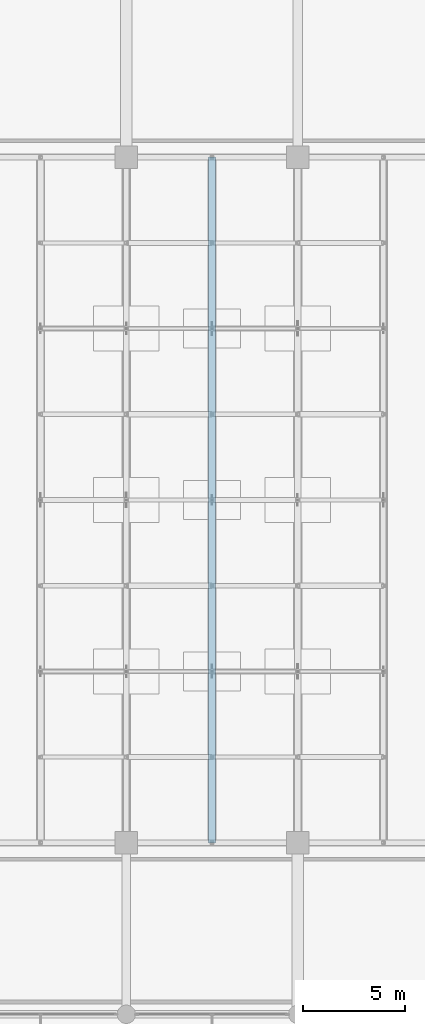
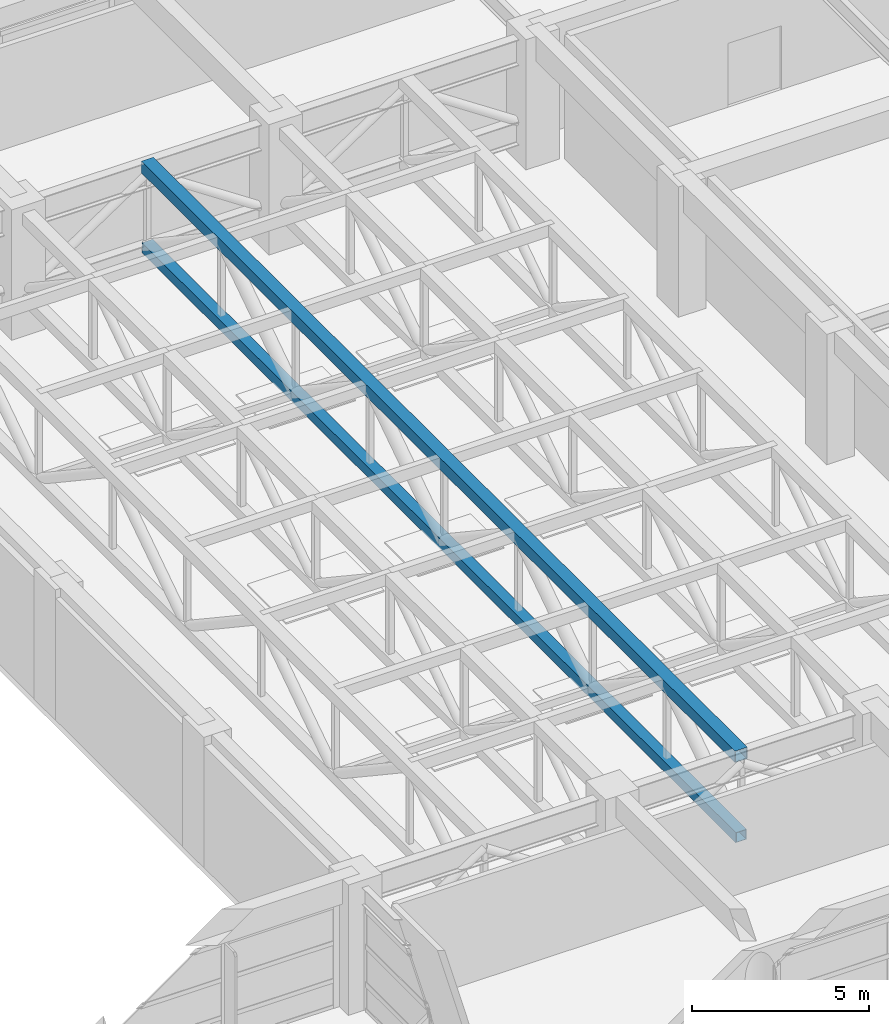
# One storey, part 17 of 47: 2 beams.
"""IFC4 building model written with IfcOpenShell, lengths in metres."""

from ifc_helpers import new_model, si_unit, direction, frame, origin, origin_2d, place, context, subcontext, project, spatial, hollow_rectangle, extrude, material, material_profile, profile_set, type_object, element, save


model = new_model("IFC4")

# Units and contexts
model_context = context("Model", 3, precision=1e-05, world=origin(), true_north=direction((0.0, 1.0)))
body_context = subcontext(model_context, "Body", "Model", "MODEL_VIEW")
ifc_project = project(units=[si_unit("LENGTHUNIT", "METRE"), si_unit("AREAUNIT", "SQUARE_METRE"), si_unit("VOLUMEUNIT", "CUBIC_METRE"), si_unit("PLANEANGLEUNIT", "RADIAN"), si_unit("MASSUNIT", "GRAM", prefix="KILO")], contexts=[model_context])

# Site, building, storey
site_placement = place(None, origin())
site = spatial("IfcSite", under=ifc_project, at=site_placement, CompositionType="ELEMENT")
building_placement = place(site_placement, origin())
building = spatial("IfcBuilding", under=site, at=building_placement, Name="Xuanlan Plaza Opera House", CompositionType="ELEMENT")
storey_placement = place(building_placement, frame((0.0, 0.0, 23.39990234375)))
storey = spatial("IfcBuildingStorey", under=building, at=storey_placement, Name="L05", CompositionType="ELEMENT", Elevation=23.39990234375)

# Beams
ifc_material = material(Name="Steel Q390B", Category="steel")
ifc_material_profile_1 = material_profile(ifc_material, hollow_rectangle(XDim=0.39990234375, YDim=0.39990234375, WallThickness=0.02001953125, at=origin_2d()), Name="SHS 400x400x20")
ifc_profile_set_1 = profile_set([ifc_material_profile_1], Name="Steel Q390B")
beam_type_1 = type_object("IfcBeamType", Name="STR-BM-TCH-03", PredefinedType="BEAM", material=ifc_profile_set_1)
beam_1_placement = place(storey_placement, frame((79.800048828125, 42.0, 4.05908203125), z_axis=(0.0, 1.0, 0.0), x_axis=(-1.0, 0.0, 0.0)))
element("IfcBeam", 1, at=beam_1_placement, inside=storey, type_object=beam_type_1, Name="Auditorium Roof Truss AUD-03 Top Chord Girder", PredefinedType="BEAM", context=body_context, shape_type="SweptSolid", body=[
    extrude(hollow_rectangle(XDim=0.39990234375, YDim=0.39990234375, WallThickness=0.02001953125, at=origin_2d()), origin(), (0.0, 0.0, 1.0), 33.60009765625),
])
ifc_material_profile_2 = material_profile(ifc_material, hollow_rectangle(XDim=0.35009765625, YDim=0.35009765625, WallThickness=0.01611328125, at=origin_2d()), Name="SHS 350x350x16")
ifc_profile_set_2 = profile_set([ifc_material_profile_2], Name="Steel Q390B")
beam_type_2 = type_object("IfcBeamType", Name="STR-BM-TCH-04", PredefinedType="BEAM", material=ifc_profile_set_2)
beam_2_placement = place(storey_placement, frame((79.800048828125, 42.0, 1.259033203125), z_axis=(0.0, 1.0, 0.0), x_axis=(-1.0, 0.0, 0.0)))
element("IfcBeam", 2, at=beam_2_placement, inside=storey, type_object=beam_type_2, Name="Auditorium Roof Truss AUD-03 Bottom Chord Girder", PredefinedType="BEAM", context=body_context, shape_type="SweptSolid", body=[
    extrude(hollow_rectangle(XDim=0.35009765625, YDim=0.35009765625, WallThickness=0.01611328125, at=origin_2d()), origin(), (0.0, 0.0, 1.0), 33.60009765625),
])

save(model, "model.ifc")
